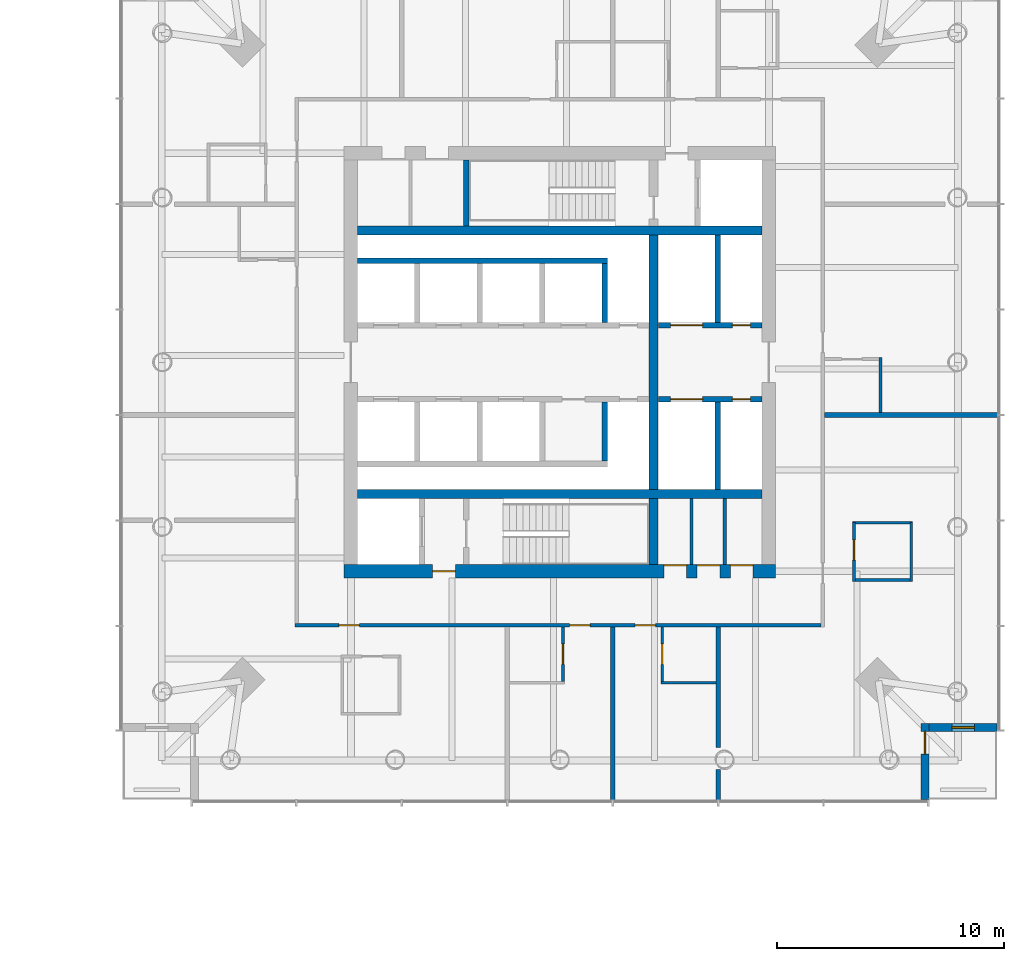
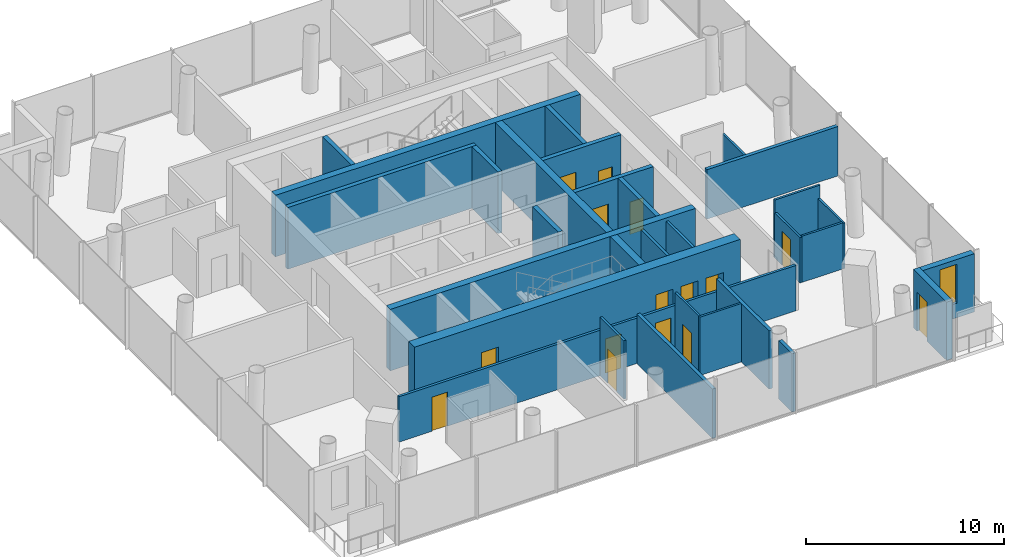
# One storey, part 13 of 18: 30 walls, 15 doors, 1 window, 16 openings.
"""IFC4 building model written with IfcOpenShell, lengths in metres."""

from ifc_helpers import new_model, si_unit, direction, frame, frame_2d, origin, place, context, subcontext, project, spatial, rectangle, extrude, material, layer, layer_set, type_object, element, fill, save


model = new_model("IFC4")

# Units and contexts
model_context = context("Model", 3, precision=1e-05, world=origin(), true_north=direction((0.0, 1.0)))
body_context = subcontext(model_context, "Body", "Model", "MODEL_VIEW")
ifc_project = project(units=[si_unit("LENGTHUNIT", "METRE"), si_unit("AREAUNIT", "SQUARE_METRE"), si_unit("VOLUMEUNIT", "CUBIC_METRE"), si_unit("PLANEANGLEUNIT", "RADIAN"), si_unit("MASSUNIT", "GRAM", prefix="KILO")], contexts=[model_context])

# Site, building, storey
site_placement = place(None, origin())
site = spatial("IfcSite", under=ifc_project, at=site_placement, CompositionType="ELEMENT")
building_placement = place(site_placement, origin())
building = spatial("IfcBuilding", under=site, at=building_placement, Name="Ostroluk Exchange", CompositionType="ELEMENT")
storey_placement = place(building_placement, frame((0.0, 0.0, 55.199951171875)))
storey = spatial("IfcBuildingStorey", under=building, at=storey_placement, Name="L13", CompositionType="ELEMENT", Elevation=55.199951171875)

# Walls
ifc_material_1 = material(Name="Concrete blockwork", Category="masonry")
ifc_layer_1 = layer(ifc_material_1, 0.14990234375)
ifc_layer_set_1 = layer_set([ifc_layer_1], Name="Blockwork plant room wall 150")
wall_type_1 = type_object("IfcWallType", Name="Blockwork plant room wall 150", PredefinedType="SOLIDWALL", material=ifc_layer_set_1)
for number, where, z_axis, x_axis, name in (
    (1, (122.79248046875, 37.10009765625, 0.0), (0.0, 0.0, 1.0), (0.0, 1.0, 0.0), "Core room wall"),
    (2, (124.2548828125, 37.10009765625, 0.0), (0.0, 0.0, 1.0), (0.0, 1.0, 0.0), "Core room wall"),
):
    element("IfcWall", number, at=place(storey_placement, frame(where, z_axis=z_axis, x_axis=x_axis)), inside=storey, type_object=wall_type_1, Name=name, PredefinedType="SOLIDWALL", context=body_context, shape_type="SweptSolid", body=[
        extrude(rectangle(XDim=2.89990234375, YDim=0.14990234375, at=frame_2d((1.449951171875, 0.0))), origin(), (0.0, 0.0, 1.0), 3.60009765625),
    ])
ifc_material_2 = material(Name="Concrete C50/60", Category="concrete")
ifc_layer_2 = layer(ifc_material_2, 0.39990234375)
ifc_layer_set_2 = layer_set([ifc_layer_2], Name="Core cross wall 400 C50/60")
wall_type_2 = type_object("IfcWallType", Name="Core cross wall 400 C50/60", PredefinedType="SHEAR", material=ifc_layer_set_2)
for number, where, z_axis, x_axis, name in (
    (3, (108.10009765625, 40.199951171875, 0.0), (0.0, 0.0, 1.0), (1.0, 0.0, 0.0), "T2 core wall XS"),
    (4, (108.10009765625, 51.800048828125, 0.0), (0.0, 0.0, 1.0), (1.0, 0.0, 0.0), "T2 core wall XN"),
):
    element("IfcWall", number, at=place(storey_placement, frame(where, z_axis=z_axis, x_axis=x_axis)), inside=storey, type_object=wall_type_2, Name=name, PredefinedType="SHEAR", context=body_context, shape_type="SweptSolid", body=[
        extrude(rectangle(XDim=17.7998046875, YDim=0.39990234375, at=frame_2d((8.89990234375, 0.0))), origin(), (0.0, 0.0, 1.0), 3.800048828125),
    ])
wall_1_placement = place(storey_placement, frame((121.1298828125, 37.10009765625, 0.0), z_axis=(0.0, 0.0, 1.0), x_axis=(0.0, 1.0, 0.0)))
element("IfcWall", 5, at=wall_1_placement, inside=storey, type_object=wall_type_2, Name="T2 core wall YE1", PredefinedType="SHEAR", context=body_context, shape_type="SweptSolid", body=[
    extrude(rectangle(XDim=2.89990234375, YDim=0.39990234375, at=frame_2d((1.449951171875, 0.0))), origin(), (0.0, 0.0, 1.0), 3.800048828125),
])
wall_2_placement = place(storey_placement, frame((121.1298828125, 40.39990234375, 0.0), z_axis=(0.0, 0.0, 1.0), x_axis=(0.0, 1.0, 0.0)))
element("IfcWall", 6, at=wall_2_placement, inside=storey, type_object=wall_type_2, Name="T2 core wall YE2", PredefinedType="SHEAR", context=body_context, shape_type="SweptSolid", body=[
    extrude(rectangle(XDim=11.2001953125, YDim=0.39990234375, at=frame_2d((5.60009765625, 0.0))), origin(), (0.0, 0.0, 1.0), 3.800048828125),
])
ifc_material_3 = material(Name="Concrete C40/50", Category="concrete")
ifc_layer_3 = layer(ifc_material_3, 0.25)
ifc_layer_set_3 = layer_set([ifc_layer_3], Name="Core shaft wall 250")
wall_type_3 = type_object("IfcWallType", Name="Core shaft wall 250", PredefinedType="SHEAR", material=ifc_layer_set_3)
wall_3_placement = place(storey_placement, frame((112.875, 52.0, 0.0), z_axis=(0.0, 0.0, 1.0), x_axis=(0.0, 1.0, 0.0)))
element("IfcWall", 7, at=wall_3_placement, inside=storey, type_object=wall_type_3, Name="Stair shaft wall", PredefinedType="SHEAR", context=body_context, shape_type="SweptSolid", body=[
    extrude(rectangle(XDim=2.89990234375, YDim=0.25, at=frame_2d((1.449951171875, 0.0))), origin(), (0.0, 0.0, 1.0), 3.800048828125),
])
wall_4_placement = place(storey_placement, frame((118.97509765625, 47.75, 0.0), z_axis=(0.0, 0.0, 1.0), x_axis=(0.0, 1.0, 0.0)))
element("IfcWall", 8, at=wall_4_placement, inside=storey, type_object=wall_type_3, Name="Lift shaft wall", PredefinedType="SHEAR", context=body_context, shape_type="SweptSolid", body=[
    extrude(rectangle(XDim=2.60009765625, YDim=0.25, at=frame_2d((1.300048828125, 0.0))), origin(), (0.0, 0.0, 1.0), 3.800048828125),
])
wall_5_placement = place(storey_placement, frame((108.10009765625, 50.47509765625, 0.0), z_axis=(0.0, 0.0, 1.0), x_axis=(1.0, 0.0, 0.0)))
element("IfcWall", 9, at=wall_5_placement, inside=storey, type_object=wall_type_3, Name="Lift shaft wall", PredefinedType="SHEAR", context=body_context, shape_type="SweptSolid", body=[
    extrude(rectangle(XDim=11.0, YDim=0.25, at=frame_2d((5.5, 0.0))), origin(), (0.0, 0.0, 1.0), 3.800048828125),
])
wall_6_placement = place(storey_placement, frame((118.97509765625, 44.25, 0.0), z_axis=(0.0, 0.0, 1.0), x_axis=(0.0, -1.0, 0.0)))
element("IfcWall", 10, at=wall_6_placement, inside=storey, type_object=wall_type_3, Name="Lift shaft wall", PredefinedType="SHEAR", context=body_context, shape_type="SweptSolid", body=[
    extrude(rectangle(XDim=2.60009765625, YDim=0.25, at=frame_2d((1.300048828125, 0.0))), origin(), (0.0, 0.0, 1.0), 3.800048828125),
])
wall_7_placement = place(storey_placement, frame((123.955078125, 47.75, 0.0), z_axis=(0.0, 0.0, 1.0), x_axis=(0.0, 1.0, 0.0)))
element("IfcWall", 11, at=wall_7_placement, inside=storey, type_object=wall_type_3, Name="Lift shaft wall", PredefinedType="SHEAR", context=body_context, shape_type="SweptSolid", body=[
    extrude(rectangle(XDim=3.85009765625, YDim=0.25, at=frame_2d((1.925048828125, 0.0))), origin(), (0.0, 0.0, 1.0), 3.800048828125),
])

# Wall, openings, doors
wall_8_placement = place(storey_placement, frame((121.330078125, 47.625, 0.0), z_axis=(0.0, 0.0, 1.0), x_axis=(1.0, 0.0, 0.0)))
wall_8 = element("IfcWall", 12, at=wall_8_placement, inside=storey, type_object=wall_type_3, Name="Lift shaft front wall", PredefinedType="SHEAR", context=body_context, shape_type="SweptSolid", body=[
    extrude(rectangle(XDim=4.56982421875, YDim=0.25, at=frame_2d((2.284912109375, 0.0))), origin(), (0.0, 0.0, 1.0), 3.800048828125),
])
opening_1_placement = place(wall_8_placement, frame((0.550048828125, 0.0, 0.0)))
opening_1 = element("IfcOpeningElement", 13, at=opening_1_placement, cuts=wall_8, Name="Opening LD3", PredefinedType="OPENING", context=body_context, shape_type="SweptSolid", body=[
    extrude(rectangle(XDim=1.39990234375, YDim=2.39990234375, at=frame_2d((0.699951171875, 1.199951171875))), frame((0.0, 0.135009765625, 0.0), z_axis=(0.0, -1.0, 0.0), x_axis=(1.0, 0.0, 0.0)), (0.0, 0.0, 1.0), 0.27001953125),
])
opening_2_placement = place(wall_8_placement, frame((3.260009765625, 0.0, 0.0)))
opening_2 = element("IfcOpeningElement", 14, at=opening_2_placement, cuts=wall_8, Name="Opening RD60", PredefinedType="OPENING", context=body_context, shape_type="SweptSolid", body=[
    extrude(rectangle(XDim=0.800048828125, YDim=2.0, at=frame_2d((0.39990234375, 1.0))), frame((0.0, 0.135009765625, 0.0), z_axis=(0.0, -1.0, 0.0), x_axis=(1.0, 0.0, 0.0)), (0.0, 0.0, 1.0), 0.27001953125),
])
ifc_material_4 = material(Name="Stainless steel", Category="steel")
door_type_1 = type_object("IfcDoorType", Name="Goods lift landing door E 60 1400 x 2400", OperationType="DOUBLE_DOOR_SLIDING", PredefinedType="DOOR", material=ifc_material_4)
door_1_placement = place(opening_1_placement, origin())
door_1 = element("IfcDoor", 15, at=door_1_placement, inside=storey, type_object=door_type_1, Name="Lift HS1 landing door", OperationType="DOUBLE_DOOR_SLIDING", OverallHeight=2.39990234375, OverallWidth=1.39990234375, PredefinedType="DOOR", context=body_context, shape_type="SweptSolid", body=[
    extrude(rectangle(XDim=1.39990234375, YDim=2.39990234375, at=frame_2d((0.699951171875, 1.199951171875))), frame((0.0, 0.02490234375, 0.0), z_axis=(0.0, -1.0, 0.0), x_axis=(1.0, 0.0, 0.0)), (0.0, 0.0, 1.0), 0.050048828125),
])
fill(opening_1, door_1)
ifc_material_5 = material(Name="Steel", Category="steel")
door_type_2 = type_object("IfcDoorType", Name="Riser access door EI 60 800 x 2000", OperationType="SINGLE_SWING_LEFT", PredefinedType="DOOR", material=ifc_material_5)
door_2_placement = place(opening_2_placement, origin())
door_2 = element("IfcDoor", 16, at=door_2_placement, inside=storey, type_object=door_type_2, Name="Riser access door", OperationType="SINGLE_SWING_RIGHT", OverallHeight=2.0, OverallWidth=0.800048828125, PredefinedType="DOOR", context=body_context, shape_type="SweptSolid", body=[
    extrude(rectangle(XDim=0.800048828125, YDim=2.0, at=frame_2d((0.39990234375, 1.0))), frame((0.0, 0.02490234375, 0.0), z_axis=(0.0, -1.0, 0.0), x_axis=(1.0, 0.0, 0.0)), (0.0, 0.0, 1.0), 0.050048828125),
])
fill(opening_2, door_2)

# Wall
wall_9_placement = place(storey_placement, frame((123.955078125, 44.25, 0.0), z_axis=(0.0, 0.0, 1.0), x_axis=(0.0, -1.0, 0.0)))
element("IfcWall", 17, at=wall_9_placement, inside=storey, type_object=wall_type_3, Name="Lift shaft wall", PredefinedType="SHEAR", context=body_context, shape_type="SweptSolid", body=[
    extrude(rectangle(XDim=3.85009765625, YDim=0.25, at=frame_2d((1.925048828125, 0.0))), origin(), (0.0, 0.0, 1.0), 3.800048828125),
])

# Wall, openings, doors
wall_10_placement = place(storey_placement, frame((121.330078125, 44.375, 0.0), z_axis=(0.0, 0.0, 1.0), x_axis=(1.0, 0.0, 0.0)))
wall_10 = element("IfcWall", 18, at=wall_10_placement, inside=storey, type_object=wall_type_3, Name="Lift shaft front wall", PredefinedType="SHEAR", context=body_context, shape_type="SweptSolid", body=[
    extrude(rectangle(XDim=4.56982421875, YDim=0.25, at=frame_2d((2.284912109375, 0.0))), origin(), (0.0, 0.0, 1.0), 3.800048828125),
])
opening_3_placement = place(wall_10_placement, frame((0.550048828125, 0.0, 0.0)))
opening_3 = element("IfcOpeningElement", 19, at=opening_3_placement, cuts=wall_10, Name="Opening LD3", PredefinedType="OPENING", context=body_context, shape_type="SweptSolid", body=[
    extrude(rectangle(XDim=1.39990234375, YDim=2.39990234375, at=frame_2d((0.699951171875, 1.199951171875))), frame((0.0, 0.135009765625, 0.0), z_axis=(0.0, -1.0, 0.0), x_axis=(1.0, 0.0, 0.0)), (0.0, 0.0, 1.0), 0.27001953125),
])
opening_4_placement = place(wall_10_placement, frame((3.260009765625, 0.0, 0.0)))
opening_4 = element("IfcOpeningElement", 20, at=opening_4_placement, cuts=wall_10, Name="Opening RD60", PredefinedType="OPENING", context=body_context, shape_type="SweptSolid", body=[
    extrude(rectangle(XDim=0.800048828125, YDim=2.0, at=frame_2d((0.39990234375, 1.0))), frame((0.0, 0.135009765625, 0.0), z_axis=(0.0, -1.0, 0.0), x_axis=(1.0, 0.0, 0.0)), (0.0, 0.0, 1.0), 0.27001953125),
])
door_3_placement = place(opening_3_placement, origin())
door_3 = element("IfcDoor", 21, at=door_3_placement, inside=storey, type_object=door_type_1, Name="Lift HS2 landing door", OperationType="DOUBLE_DOOR_SLIDING", OverallHeight=2.39990234375, OverallWidth=1.39990234375, PredefinedType="DOOR", context=body_context, shape_type="SweptSolid", body=[
    extrude(rectangle(XDim=1.39990234375, YDim=2.39990234375, at=frame_2d((0.699951171875, 1.199951171875))), frame((0.0, 0.02490234375, 0.0), z_axis=(0.0, -1.0, 0.0), x_axis=(1.0, 0.0, 0.0)), (0.0, 0.0, 1.0), 0.050048828125),
])
fill(opening_3, door_3)
door_4_placement = place(opening_4_placement, origin())
door_4 = element("IfcDoor", 22, at=door_4_placement, inside=storey, type_object=door_type_2, Name="Riser access door", OperationType="SINGLE_SWING_RIGHT", OverallHeight=2.0, OverallWidth=0.800048828125, PredefinedType="DOOR", context=body_context, shape_type="SweptSolid", body=[
    extrude(rectangle(XDim=0.800048828125, YDim=2.0, at=frame_2d((0.39990234375, 1.0))), frame((0.0, 0.02490234375, 0.0), z_axis=(0.0, -1.0, 0.0), x_axis=(1.0, 0.0, 0.0)), (0.0, 0.0, 1.0), 0.050048828125),
])
fill(opening_4, door_4)

ifc_material_6 = material(Name="Concrete C50/60", Category="concrete")
ifc_layer_4 = layer(ifc_material_6, 0.60009765625)
ifc_layer_set_4 = layer_set([ifc_layer_4], Name="Core wall 600 C50/60")
wall_type_4 = type_object("IfcWallType", Name="Core wall 600 C50/60", PredefinedType="SHEAR", material=ifc_layer_set_4)
wall_11_placement = place(storey_placement, frame((107.5, 36.800048828125, 0.0), z_axis=(0.0, 0.0, 1.0), x_axis=(1.0, 0.0, 0.0)))
wall_11 = element("IfcWall", 23, at=wall_11_placement, inside=storey, type_object=wall_type_4, Name="T2 core wall S", PredefinedType="SHEAR", context=body_context, shape_type="SweptSolid", body=[
    extrude(rectangle(XDim=19.0, YDim=0.60009765625, at=frame_2d((9.5, 0.0))), origin(), (0.0, 0.0, 1.0), 3.800048828125),
])
opening_5_placement = place(wall_11_placement, frame((3.89990234375, 0.0, 0.0)))
opening_5 = element("IfcOpeningElement", 24, at=opening_5_placement, cuts=wall_11, Name="Opening FD60", PredefinedType="OPENING", context=body_context, shape_type="SweptSolid", body=[
    extrude(rectangle(XDim=1.0, YDim=2.10009765625, at=frame_2d((0.5, 1.050048828125))), frame((0.0, 0.31005859375, 0.0), z_axis=(0.0, -1.0, 0.0), x_axis=(1.0, 0.0, 0.0)), (0.0, 0.0, 1.0), 0.6201171875),
])
opening_6_placement = place(wall_11_placement, frame((14.080078125, 0.0, 0.0)))
opening_6 = element("IfcOpeningElement", 25, at=opening_6_placement, cuts=wall_11, Name="Opening FD60", PredefinedType="OPENING", context=body_context, shape_type="SweptSolid", body=[
    extrude(rectangle(XDim=1.0, YDim=2.10009765625, at=frame_2d((0.5, 1.050048828125))), frame((0.0, 0.31005859375, 0.0), z_axis=(0.0, -1.0, 0.0), x_axis=(1.0, 0.0, 0.0)), (0.0, 0.0, 1.0), 0.6201171875),
])
opening_7_placement = place(wall_11_placement, frame((15.54248046875, 0.0, 0.0)))
opening_7 = element("IfcOpeningElement", 26, at=opening_7_placement, cuts=wall_11, Name="Opening FD60", PredefinedType="OPENING", context=body_context, shape_type="SweptSolid", body=[
    extrude(rectangle(XDim=1.0, YDim=2.10009765625, at=frame_2d((0.5, 1.050048828125))), frame((0.0, 0.31005859375, 0.0), z_axis=(0.0, -1.0, 0.0), x_axis=(1.0, 0.0, 0.0)), (0.0, 0.0, 1.0), 0.6201171875),
])
opening_8_placement = place(wall_11_placement, frame((17.0048828125, 0.0, 0.0)))
opening_8 = element("IfcOpeningElement", 27, at=opening_8_placement, cuts=wall_11, Name="Opening FD60", PredefinedType="OPENING", context=body_context, shape_type="SweptSolid", body=[
    extrude(rectangle(XDim=1.0, YDim=2.10009765625, at=frame_2d((0.5, 1.050048828125))), frame((0.0, 0.31005859375, 0.0), z_axis=(0.0, -1.0, 0.0), x_axis=(1.0, 0.0, 0.0)), (0.0, 0.0, 1.0), 0.6201171875),
])
ifc_material_7 = material(Name="Steel", Category="steel")
door_type_3 = type_object("IfcDoorType", Name="Fire door EI 60 1000 x 2100", OperationType="SINGLE_SWING_LEFT", PredefinedType="DOOR", material=ifc_material_7)
door_5_placement = place(opening_5_placement, origin())
door_5 = element("IfcDoor", 28, at=door_5_placement, inside=storey, type_object=door_type_3, Name="Firefighting lobby door", OperationType="SINGLE_SWING_LEFT", OverallHeight=2.10009765625, OverallWidth=1.0, PredefinedType="DOOR", context=body_context, shape_type="SweptSolid", body=[
    extrude(rectangle(XDim=1.0, YDim=2.10009765625, at=frame_2d((0.5, 1.050048828125))), frame((0.0, 0.02490234375, 0.0), z_axis=(0.0, -1.0, 0.0), x_axis=(1.0, 0.0, 0.0)), (0.0, 0.0, 1.0), 0.050048828125),
])
fill(opening_5, door_5)
door_6_placement = place(opening_6_placement, origin())
door_6 = element("IfcDoor", 29, at=door_6_placement, inside=storey, type_object=door_type_3, Name="Linen store door", OperationType="SINGLE_SWING_RIGHT", OverallHeight=2.10009765625, OverallWidth=1.0, PredefinedType="DOOR", context=body_context, shape_type="SweptSolid", body=[
    extrude(rectangle(XDim=1.0, YDim=2.10009765625, at=frame_2d((0.5, 1.050048828125))), frame((0.0, 0.2900390625, 0.0), z_axis=(0.0, -1.0, 0.0), x_axis=(1.0, 0.0, 0.0)), (0.0, 0.0, 1.0), 0.050048828125),
])
fill(opening_6, door_6)
door_7_placement = place(opening_7_placement, origin())
door_7 = element("IfcDoor", 30, at=door_7_placement, inside=storey, type_object=door_type_3, Name="Housekeeping store door", OperationType="SINGLE_SWING_RIGHT", OverallHeight=2.10009765625, OverallWidth=1.0, PredefinedType="DOOR", context=body_context, shape_type="SweptSolid", body=[
    extrude(rectangle(XDim=1.0, YDim=2.10009765625, at=frame_2d((0.5, 1.050048828125))), frame((0.0, 0.2900390625, 0.0), z_axis=(0.0, -1.0, 0.0), x_axis=(1.0, 0.0, 0.0)), (0.0, 0.0, 1.0), 0.050048828125),
])
fill(opening_7, door_7)
door_8_placement = place(opening_8_placement, origin())
door_8 = element("IfcDoor", 31, at=door_8_placement, inside=storey, type_object=door_type_3, Name="Luggage store door", OperationType="SINGLE_SWING_RIGHT", OverallHeight=2.10009765625, OverallWidth=1.0, PredefinedType="DOOR", context=body_context, shape_type="SweptSolid", body=[
    extrude(rectangle(XDim=1.0, YDim=2.10009765625, at=frame_2d((0.5, 1.050048828125))), frame((0.0, 0.2900390625, 0.0), z_axis=(0.0, -1.0, 0.0), x_axis=(1.0, 0.0, 0.0)), (0.0, 0.0, 1.0), 0.050048828125),
])
fill(opening_8, door_8)

# Wall, opening, door
ifc_material_8 = material(Name="Limestone", Category="masonry")
ifc_layer_5 = layer(ifc_material_8, 0.35009765625)
ifc_layer_set_5 = layer_set([ifc_layer_5], Name="Limestone facade wall 350")
wall_type_5 = type_object("IfcWallType", Name="Limestone facade wall 350", PredefinedType="SOLIDWALL", material=ifc_layer_set_5)
wall_12_placement = place(storey_placement, frame((133.074951171875, 26.75, 0.0), z_axis=(0.0, 0.0, 1.0), x_axis=(0.0, 1.0, 0.0)))
wall_12 = element("IfcWall", 32, at=wall_12_placement, inside=storey, type_object=wall_type_5, Name="Hotel tower SE corner wall L13 a", PredefinedType="SOLIDWALL", context=body_context, shape_type="SweptSolid", body=[
    extrude(rectangle(XDim=3.35009765625, YDim=0.35009765625, at=frame_2d((1.675048828125, 0.0))), origin(), (0.0, 0.0, 1.0), 3.60009765625),
])
opening_9_placement = place(wall_12_placement, frame((2.0, 0.0, 0.0)))
opening_9 = element("IfcOpeningElement", 33, at=opening_9_placement, cuts=wall_12, Name="Opening D-B1", PredefinedType="OPENING", context=body_context, shape_type="SweptSolid", body=[
    extrude(rectangle(XDim=1.0, YDim=2.39990234375, at=frame_2d((0.5, 1.199951171875))), frame((0.0, 0.18505859375, 0.0), z_axis=(0.0, -1.0, 0.0), x_axis=(1.0, 0.0, 0.0)), (0.0, 0.0, 1.0), 0.3701171875),
])
ifc_material_9 = material(Name="Bronze framed glazed door", Category="aluminium")
door_type_4 = type_object("IfcDoorType", Name="Balcony door 1000 x 2400", OperationType="SINGLE_SWING_LEFT", PredefinedType="DOOR", material=ifc_material_9)
door_9_placement = place(opening_9_placement, origin())
door_9 = element("IfcDoor", 34, at=door_9_placement, inside=storey, type_object=door_type_4, Name="Hotel tower SE balcony door L13", OperationType="SINGLE_SWING_RIGHT", OverallHeight=2.39990234375, OverallWidth=1.0, PredefinedType="DOOR", context=body_context, shape_type="SweptSolid", body=[
    extrude(rectangle(XDim=1.0, YDim=2.39990234375, at=frame_2d((0.5, 1.199951171875))), frame((0.0, 0.02490234375, 0.0), z_axis=(0.0, -1.0, 0.0), x_axis=(1.0, 0.0, 0.0)), (0.0, 0.0, 1.0), 0.050048828125),
])
fill(opening_9, door_9)

# Wall, opening, window
wall_13_placement = place(storey_placement, frame((133.25, 29.925048828125, 0.0), z_axis=(0.0, 0.0, 1.0), x_axis=(1.0, 0.0, 0.0)))
wall_13 = element("IfcWall", 35, at=wall_13_placement, inside=storey, type_object=wall_type_5, Name="Hotel tower SE corner wall L13 b", PredefinedType="SOLIDWALL", context=body_context, shape_type="SweptSolid", body=[
    extrude(rectangle(XDim=3.0, YDim=0.35009765625, at=frame_2d((1.5, 0.0))), origin(), (0.0, 0.0, 1.0), 3.60009765625),
])
opening_10_placement = place(wall_13_placement, frame((1.0, 0.0, 0.89990234375)))
opening_10 = element("IfcOpeningElement", 36, at=opening_10_placement, cuts=wall_13, Name="Opening WN-L3", PredefinedType="OPENING", context=body_context, shape_type="SweptSolid", body=[
    extrude(rectangle(XDim=1.0, YDim=2.39990234375, at=frame_2d((0.5, 1.199951171875))), frame((0.0, 0.18505859375, 0.0), z_axis=(0.0, -1.0, 0.0), x_axis=(1.0, 0.0, 0.0)), (0.0, 0.0, 1.0), 0.3701171875),
])
ifc_material_10 = material(Name="Laminated clear glass", Category="glass")
window_type = type_object("IfcWindowType", Name="Hotel lancet window 1000 x 2400", PartitioningType="SINGLE_PANEL", PredefinedType="WINDOW", material=ifc_material_10)
window_placement = place(opening_10_placement, origin())
window = element("IfcWindow", 37, at=window_placement, inside=storey, type_object=window_type, Name="Hotel tower SE lancet window L13", OverallHeight=2.39990234375, OverallWidth=1.0, PartitioningType="SINGLE_PANEL", PredefinedType="WINDOW", context=body_context, shape_type="SweptSolid", body=[
    extrude(rectangle(XDim=1.0, YDim=2.39990234375, at=frame_2d((0.5, 1.199951171875))), frame((0.0, 0.030029296875, 0.0), z_axis=(0.0, -1.0, 0.0), x_axis=(1.0, 0.0, 0.0)), (0.0, 0.0, 1.0), 0.06005859375),
])
fill(opening_10, window)

# Wall, opening, door
ifc_material_11 = material(Name="Gypsum plasterboard partition, moisture resistant", Category="gypsum")
ifc_layer_6 = layer(ifc_material_11, 0.1201171875)
ifc_layer_set_6 = layer_set([ifc_layer_6], Name="Plasterboard en-suite wall 120")
wall_type_6 = type_object("IfcWallType", Name="Plasterboard en-suite wall 120", PredefinedType="PARTITIONING", material=ifc_layer_set_6)
wall_14_placement = place(storey_placement, frame((129.949951171875, 38.935791015625, 0.0), z_axis=(0.0, 0.0, 1.0), x_axis=(0.0, -1.0, 0.0)))
wall_14 = element("IfcWall", 38, at=wall_14_placement, inside=storey, type_object=wall_type_6, Name="En-suite wall", PredefinedType="PARTITIONING", context=body_context, shape_type="SweptSolid", body=[
    extrude(rectangle(XDim=2.580078125, YDim=0.1201171875, at=frame_2d((1.2900390625, 0.0))), origin(), (0.0, 0.0, 1.0), 2.800048828125),
])
opening_11_placement = place(wall_14_placement, frame((0.75, 0.0, 0.0)))
opening_11 = element("IfcOpeningElement", 39, at=opening_11_placement, cuts=wall_14, Name="Opening D-02", PredefinedType="OPENING", context=body_context, shape_type="SweptSolid", body=[
    extrude(rectangle(XDim=0.89990234375, YDim=2.10009765625, at=frame_2d((0.449951171875, 1.050048828125))), frame((0.0, 0.070068359375, 0.0), z_axis=(0.0, -1.0, 0.0), x_axis=(1.0, 0.0, 0.0)), (0.0, 0.0, 1.0), 0.14013671875),
])
ifc_material_12 = material(Name="Timber", Category="wood")
door_type_5 = type_object("IfcDoorType", Name="En-suite door 900 x 2100", OperationType="SINGLE_SWING_LEFT", PredefinedType="DOOR", material=ifc_material_12)
door_10_placement = place(opening_11_placement, origin())
door_10 = element("IfcDoor", 40, at=door_10_placement, inside=storey, type_object=door_type_5, Name="En-suite door 1301", OperationType="SINGLE_SWING_LEFT", OverallHeight=2.10009765625, OverallWidth=0.89990234375, PredefinedType="DOOR", context=body_context, shape_type="SweptSolid", body=[
    extrude(rectangle(XDim=0.89990234375, YDim=2.10009765625, at=frame_2d((0.449951171875, 1.050048828125))), frame((0.0, 0.02490234375, 0.0), z_axis=(0.0, -1.0, 0.0), x_axis=(1.0, 0.0, 0.0)), (0.0, 0.0, 1.0), 0.050048828125),
])
fill(opening_11, door_10)

# Walls
wall_15_placement = place(storey_placement, frame((132.469970703125, 38.935791015625, 0.0), z_axis=(0.0, 0.0, 1.0), x_axis=(0.0, -1.0, 0.0)))
element("IfcWall", 41, at=wall_15_placement, inside=storey, type_object=wall_type_6, Name="En-suite wall", PredefinedType="PARTITIONING", context=body_context, shape_type="SweptSolid", body=[
    extrude(rectangle(XDim=2.580078125, YDim=0.1201171875, at=frame_2d((1.2900390625, 0.0))), origin(), (0.0, 0.0, 1.0), 2.800048828125),
])
wall_16_placement = place(storey_placement, frame((130.010009765625, 36.415771484375, 0.0), z_axis=(0.0, 0.0, 1.0), x_axis=(1.0, 0.0, 0.0)))
element("IfcWall", 42, at=wall_16_placement, inside=storey, type_object=wall_type_6, Name="En-suite wall", PredefinedType="PARTITIONING", context=body_context, shape_type="SweptSolid", body=[
    extrude(rectangle(XDim=2.39990234375, YDim=0.1201171875, at=frame_2d((1.199951171875, 0.0))), origin(), (0.0, 0.0, 1.0), 2.84716796875),
])
wall_17_placement = place(storey_placement, frame((129.889892578125, 38.935791015625, 0.0), z_axis=(0.0, 0.0, 1.0), x_axis=(1.0, 0.0, 0.0)))
element("IfcWall", 43, at=wall_17_placement, inside=storey, type_object=wall_type_6, Name="En-suite wall", PredefinedType="PARTITIONING", context=body_context, shape_type="SweptSolid", body=[
    extrude(rectangle(XDim=2.64013671875, YDim=0.1201171875, at=frame_2d((1.320068359375, 0.0))), origin(), (0.0, 0.0, 1.0), 3.60009765625),
])
wall_18_placement = place(storey_placement, frame((131.110107421875, 43.778564453125, 0.0), z_axis=(0.0, 0.0, 1.0), x_axis=(0.0, 1.0, 0.0)))
element("IfcWall", 44, at=wall_18_placement, inside=storey, type_object=wall_type_6, Name="En-suite wall", PredefinedType="PARTITIONING", context=body_context, shape_type="SweptSolid", body=[
    extrude(rectangle(XDim=2.419921875, YDim=0.1201171875, at=frame_2d((1.2099609375, 0.0))), origin(), (0.0, 0.0, 1.0), 2.84716796875),
])

# Wall, opening, door
wall_19_placement = place(storey_placement, frame((117.138671875, 34.35009765625, 0.0), z_axis=(0.0, 0.0, 1.0), x_axis=(0.0, -1.0, 0.0)))
wall_19 = element("IfcWall", 45, at=wall_19_placement, inside=storey, type_object=wall_type_6, Name="En-suite wall", PredefinedType="PARTITIONING", context=body_context, shape_type="SweptSolid", body=[
    extrude(rectangle(XDim=2.400146484375, YDim=0.1201171875, at=frame_2d((1.2001953125, 0.0))), origin(), (0.0, 0.0, 1.0), 3.60009765625),
])
opening_12_placement = place(wall_19_placement, frame((0.75, 0.0, 0.0)))
opening_12 = element("IfcOpeningElement", 46, at=opening_12_placement, cuts=wall_19, Name="Opening D-02", PredefinedType="OPENING", context=body_context, shape_type="SweptSolid", body=[
    extrude(rectangle(XDim=0.89990234375, YDim=2.10009765625, at=frame_2d((0.449951171875, 1.050048828125))), frame((0.0, 0.070068359375, 0.0), z_axis=(0.0, -1.0, 0.0), x_axis=(1.0, 0.0, 0.0)), (0.0, 0.0, 1.0), 0.14013671875),
])
door_11_placement = place(opening_12_placement, origin())
door_11 = element("IfcDoor", 47, at=door_11_placement, inside=storey, type_object=door_type_5, Name="En-suite door 1309", OperationType="SINGLE_SWING_LEFT", OverallHeight=2.10009765625, OverallWidth=0.89990234375, PredefinedType="DOOR", context=body_context, shape_type="SweptSolid", body=[
    extrude(rectangle(XDim=0.89990234375, YDim=2.10009765625, at=frame_2d((0.449951171875, 1.050048828125))), frame((0.0, 0.02490234375, 0.0), z_axis=(0.0, -1.0, 0.0), x_axis=(1.0, 0.0, 0.0)), (0.0, 0.0, 1.0), 0.050048828125),
])
fill(opening_12, door_11)

# Wall
wall_20_placement = place(storey_placement, frame((121.4443359375, 31.889892578125, 0.0), z_axis=(0.0, 0.0, 1.0), x_axis=(1.0, 0.0, 0.0)))
element("IfcWall", 48, at=wall_20_placement, inside=storey, type_object=wall_type_6, Name="En-suite wall", PredefinedType="PARTITIONING", context=body_context, shape_type="SweptSolid", body=[
    extrude(rectangle(XDim=2.419921875, YDim=0.1201171875, at=frame_2d((1.2099609375, 0.0))), origin(), (0.0, 0.0, 1.0), 3.60009765625),
])

# Wall, opening, door
wall_21_placement = place(storey_placement, frame((121.50439453125, 34.35009765625, 0.0), z_axis=(0.0, 0.0, 1.0), x_axis=(0.0, -1.0, 0.0)))
wall_21 = element("IfcWall", 49, at=wall_21_placement, inside=storey, type_object=wall_type_6, Name="En-suite wall", PredefinedType="PARTITIONING", context=body_context, shape_type="SweptSolid", body=[
    extrude(rectangle(XDim=2.400146484375, YDim=0.1201171875, at=frame_2d((1.2001953125, 0.0))), origin(), (0.0, 0.0, 1.0), 3.60009765625),
])
opening_13_placement = place(wall_21_placement, frame((0.75, 0.0, 0.0)))
opening_13 = element("IfcOpeningElement", 50, at=opening_13_placement, cuts=wall_21, Name="Opening D-02", PredefinedType="OPENING", context=body_context, shape_type="SweptSolid", body=[
    extrude(rectangle(XDim=0.89990234375, YDim=2.10009765625, at=frame_2d((0.449951171875, 1.050048828125))), frame((0.0, 0.070068359375, 0.0), z_axis=(0.0, -1.0, 0.0), x_axis=(1.0, 0.0, 0.0)), (0.0, 0.0, 1.0), 0.14013671875),
])
door_12_placement = place(opening_13_placement, origin())
door_12 = element("IfcDoor", 51, at=door_12_placement, inside=storey, type_object=door_type_5, Name="En-suite door 1310", OperationType="SINGLE_SWING_LEFT", OverallHeight=2.10009765625, OverallWidth=0.89990234375, PredefinedType="DOOR", context=body_context, shape_type="SweptSolid", body=[
    extrude(rectangle(XDim=0.89990234375, YDim=2.10009765625, at=frame_2d((0.449951171875, 1.050048828125))), frame((0.0, 0.02490234375, 0.0), z_axis=(0.0, -1.0, 0.0), x_axis=(1.0, 0.0, 0.0)), (0.0, 0.0, 1.0), 0.050048828125),
])
fill(opening_13, door_12)

# Wall, openings, doors
ifc_material_13 = material(Name="Gypsum plasterboard partition", Category="gypsum")
ifc_layer_7 = layer(ifc_material_13, 0.14990234375)
ifc_layer_set_7 = layer_set([ifc_layer_7], Name="Plasterboard partition 150")
wall_type_7 = type_object("IfcWallType", Name="Plasterboard partition 150", PredefinedType="PARTITIONING", material=ifc_layer_set_7)
wall_22_placement = place(storey_placement, frame((105.35009765625, 34.425048828125, 0.0), z_axis=(0.0, 0.0, 1.0), x_axis=(1.0, 0.0, 0.0)))
wall_22 = element("IfcWall", 52, at=wall_22_placement, inside=storey, type_object=wall_type_7, Name="Corridor wall", PredefinedType="PARTITIONING", context=body_context, shape_type="SweptSolid", body=[
    extrude(rectangle(XDim=23.14990234375, YDim=0.14990234375, at=frame_2d((11.574951171875, 0.0))), origin(), (0.0, 0.0, 1.0), 2.800048828125),
])
opening_14_placement = place(wall_22_placement, frame((1.91796875, 0.0, 0.0)))
opening_14 = element("IfcOpeningElement", 53, at=opening_14_placement, cuts=wall_22, Name="Opening D-01", PredefinedType="OPENING", context=body_context, shape_type="SweptSolid", body=[
    extrude(rectangle(XDim=0.89990234375, YDim=2.10009765625, at=frame_2d((0.449951171875, 1.050048828125))), frame((0.0, 0.0849609375, 0.0), z_axis=(0.0, -1.0, 0.0), x_axis=(1.0, 0.0, 0.0)), (0.0, 0.0, 1.0), 0.169921875),
])
opening_15_placement = place(wall_22_placement, frame((12.07861328125, 0.0, 0.0)))
opening_15 = element("IfcOpeningElement", 54, at=opening_15_placement, cuts=wall_22, Name="Opening D-01", PredefinedType="OPENING", context=body_context, shape_type="SweptSolid", body=[
    extrude(rectangle(XDim=0.89990234375, YDim=2.10009765625, at=frame_2d((0.449951171875, 1.050048828125))), frame((0.0, 0.0849609375, 0.0), z_axis=(0.0, -1.0, 0.0), x_axis=(1.0, 0.0, 0.0)), (0.0, 0.0, 1.0), 0.169921875),
])
opening_16_placement = place(wall_22_placement, frame((14.96435546875, 0.0, 0.0)))
opening_16 = element("IfcOpeningElement", 55, at=opening_16_placement, cuts=wall_22, Name="Opening D-01", PredefinedType="OPENING", context=body_context, shape_type="SweptSolid", body=[
    extrude(rectangle(XDim=0.89990234375, YDim=2.10009765625, at=frame_2d((0.449951171875, 1.050048828125))), frame((0.0, 0.0849609375, 0.0), z_axis=(0.0, -1.0, 0.0), x_axis=(1.0, 0.0, 0.0)), (0.0, 0.0, 1.0), 0.169921875),
])
ifc_material_14 = material(Name="Timber", Category="wood")
door_type_6 = type_object("IfcDoorType", Name="Hotel room door EI 30 Sa 900 x 2100", OperationType="SINGLE_SWING_LEFT", PredefinedType="DOOR", material=ifc_material_14)
door_13_placement = place(opening_14_placement, origin())
door_13 = element("IfcDoor", 56, at=door_13_placement, inside=storey, type_object=door_type_6, Name="Room door 1308", OperationType="SINGLE_SWING_LEFT", OverallHeight=2.10009765625, OverallWidth=0.89990234375, PredefinedType="DOOR", context=body_context, shape_type="SweptSolid", body=[
    extrude(rectangle(XDim=0.89990234375, YDim=2.10009765625, at=frame_2d((0.449951171875, 1.050048828125))), frame((0.0, 0.02490234375, 0.0), z_axis=(0.0, -1.0, 0.0), x_axis=(1.0, 0.0, 0.0)), (0.0, 0.0, 1.0), 0.050048828125),
])
fill(opening_14, door_13)
door_14_placement = place(opening_15_placement, origin())
door_14 = element("IfcDoor", 57, at=door_14_placement, inside=storey, type_object=door_type_6, Name="Room door 1309", OperationType="SINGLE_SWING_RIGHT", OverallHeight=2.10009765625, OverallWidth=0.89990234375, PredefinedType="DOOR", context=body_context, shape_type="SweptSolid", body=[
    extrude(rectangle(XDim=0.89990234375, YDim=2.10009765625, at=frame_2d((0.449951171875, 1.050048828125))), frame((0.0, 0.02490234375, 0.0), z_axis=(0.0, -1.0, 0.0), x_axis=(1.0, 0.0, 0.0)), (0.0, 0.0, 1.0), 0.050048828125),
])
fill(opening_15, door_14)
door_15_placement = place(opening_16_placement, origin())
door_15 = element("IfcDoor", 58, at=door_15_placement, inside=storey, type_object=door_type_6, Name="Room door 1310", OperationType="SINGLE_SWING_RIGHT", OverallHeight=2.10009765625, OverallWidth=0.89990234375, PredefinedType="DOOR", context=body_context, shape_type="SweptSolid", body=[
    extrude(rectangle(XDim=0.89990234375, YDim=2.10009765625, at=frame_2d((0.449951171875, 1.050048828125))), frame((0.0, 0.02490234375, 0.0), z_axis=(0.0, -1.0, 0.0), x_axis=(1.0, 0.0, 0.0)), (0.0, 0.0, 1.0), 0.050048828125),
])
fill(opening_16, door_15)

# Walls
ifc_material_15 = material(Name="Gypsum plasterboard partition", Category="gypsum")
ifc_layer_8 = layer(ifc_material_15, 0.199951171875)
ifc_layer_set_8 = layer_set([ifc_layer_8], Name="Plasterboard party wall 200")
wall_type_8 = type_object("IfcWallType", Name="Plasterboard party wall 200", PredefinedType="PARTITIONING", material=ifc_layer_set_8)
for number, where, z_axis, x_axis, name in (
    (59, (128.64990234375, 43.678466796875, 0.0), (0.0, 0.0, 1.0), (1.0, 0.0, 0.0), "Party wall"),
    (60, (119.321533203125, 34.35009765625, 0.0), (0.0, 0.0, 1.0), (0.0, -1.0, 0.0), "Party wall"),
):
    element("IfcWall", number, at=place(storey_placement, frame(where, z_axis=z_axis, x_axis=x_axis)), inside=storey, type_object=wall_type_8, Name=name, PredefinedType="PARTITIONING", context=body_context, shape_type="SweptSolid", body=[
        extrude(rectangle(XDim=7.64013671875, YDim=0.199951171875, at=frame_2d((3.820068359375, 0.0))), origin(), (0.0, 0.0, 1.0), 3.050048828125),
    ])
wall_23_placement = place(storey_placement, frame((123.96435546875, 34.35009765625, 0.0), z_axis=(0.0, 0.0, 1.0), x_axis=(0.0, -1.0, 0.0)))
element("IfcWall", 61, at=wall_23_placement, inside=storey, type_object=wall_type_8, Name="Party wall", PredefinedType="PARTITIONING", context=body_context, shape_type="SweptSolid", body=[
    extrude(rectangle(XDim=5.3056640625, YDim=0.199951171875, at=frame_2d((2.65283203125, 0.0))), origin(), (0.0, 0.0, 1.0), 3.60009765625),
])
wall_24_placement = place(storey_placement, frame((123.96435546875, 28.067626953125, 0.0), z_axis=(0.0, 0.0, 1.0), x_axis=(0.0, -1.0, 0.0)))
element("IfcWall", 62, at=wall_24_placement, inside=storey, type_object=wall_type_8, Name="Party wall", PredefinedType="PARTITIONING", context=body_context, shape_type="SweptSolid", body=[
    extrude(rectangle(XDim=1.357666015625, YDim=0.199951171875, at=frame_2d((0.6787109375, 0.0))), origin(), (0.0, 0.0, 1.0), 3.60009765625),
])

save(model, "model.ifc")
